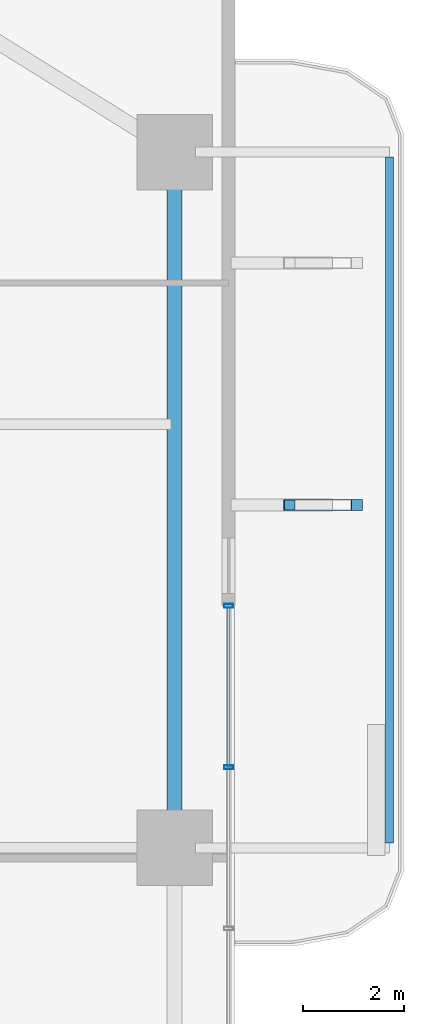
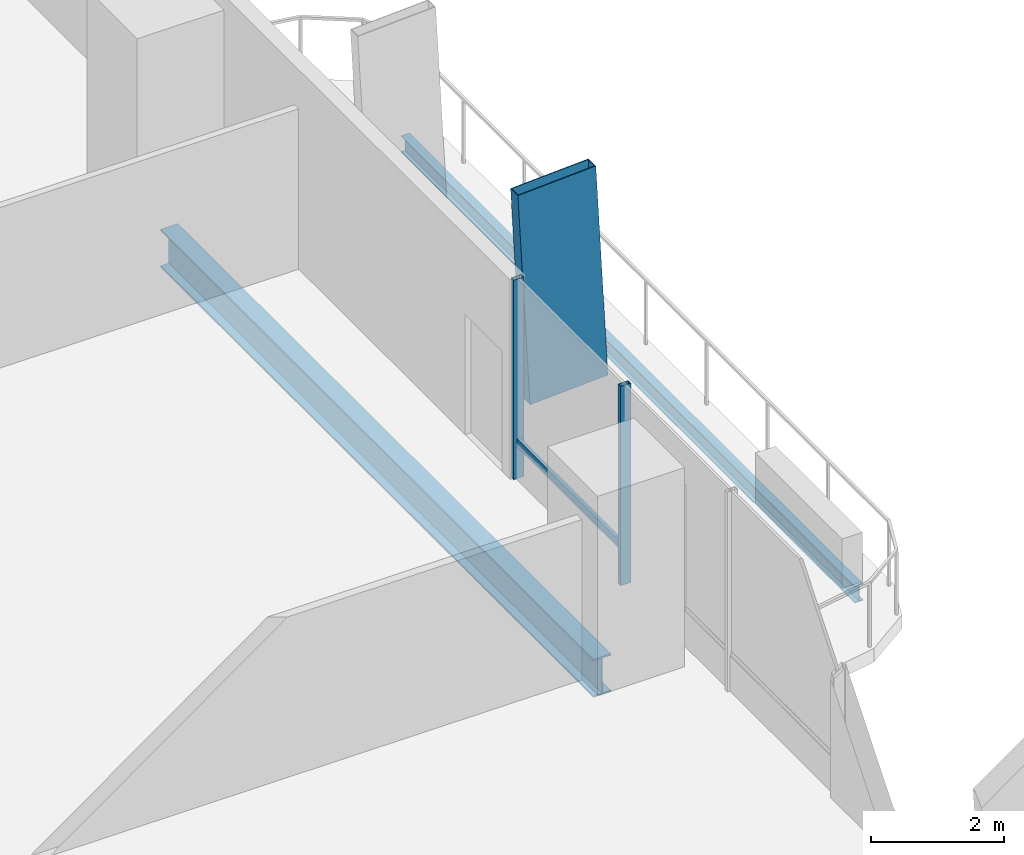
# One storey, part 13 of 24: 4 members, 2 beams, 1 element without a shape of its own.
"""IFC4 building model written with IfcOpenShell, lengths in metres."""

from ifc_helpers import new_model, si_unit, direction, frame, origin, origin_2d, place, context, subcontext, project, spatial, hollow_rectangle, i_section, extrude, material, layer, layer_set, material_profile, profile_set, type_object, element, aggregate, save


model = new_model("IFC4")

# Units and contexts
model_context = context("Model", 3, precision=1e-05, world=origin(), true_north=direction((0.0, 1.0)))
body_context = subcontext(model_context, "Body", "Model", "MODEL_VIEW")
ifc_project = project(units=[si_unit("LENGTHUNIT", "METRE"), si_unit("AREAUNIT", "SQUARE_METRE"), si_unit("VOLUMEUNIT", "CUBIC_METRE"), si_unit("PLANEANGLEUNIT", "RADIAN"), si_unit("MASSUNIT", "GRAM", prefix="KILO")], contexts=[model_context])

# Site, building, storey
site_placement = place(None, origin())
site = spatial("IfcSite", under=ifc_project, at=site_placement, CompositionType="ELEMENT")
building_placement = place(site_placement, origin())
building = spatial("IfcBuilding", under=site, at=building_placement, Name="Belovzor Exchange Tower", CompositionType="ELEMENT")
storey_placement = place(building_placement, frame((0.0, 0.0, 61.199951171875)))
storey = spatial("IfcBuildingStorey", under=building, at=storey_placement, Name="L14", CompositionType="ELEMENT", Elevation=61.199951171875)

# Member
ifc_material_1 = material(Name="Extruded Architectural Terracotta on Steel S355 Carrier", Category="masonry")
ifc_material_profile_1 = material_profile(ifc_material_1, hollow_rectangle(XDim=0.219970703125, YDim=1.35009765625, WallThickness=0.013916015625, at=origin_2d()))
ifc_profile_set_1 = profile_set([ifc_material_profile_1], Name="Extruded Architectural Terracotta on Steel S355 Carrier")
member_type_1 = type_object("IfcMemberType", Name="Base Arc Sweeping Terracotta Pylon Fin 1450", PredefinedType="USERDEFINED", material=ifc_profile_set_1)
member_1_placement = place(storey_placement, frame((58.549072265625, 35.60009765625, -0.25), z_axis=(-0.053756276307, 0.0, 0.998554086045), x_axis=(0.0, -1.0, 0.0)))
element("IfcMember", 1, at=member_1_placement, inside=storey, type_object=member_type_1, Name="FIN-TC145 Terracotta Facade Fin L14 E3", ObjectType="FIN", PredefinedType="USERDEFINED", context=body_context, shape_type="SweptSolid", body=[
    extrude(hollow_rectangle(XDim=0.219970703125, YDim=1.35009765625, WallThickness=0.013916015625, at=origin_2d()), origin(), (0.0, 0.0, 1.0), 3.90576171875),
])

# Beam
ifc_material_2 = material(Name="Steel S355", Category="steel")
ifc_material_profile_2 = material_profile(ifc_material_2, i_section(OverallWidth=0.14990234375, OverallDepth=0.300048828125, WebThickness=0.007080078125, FlangeThickness=0.0107421875, at=origin_2d()))
ifc_profile_set_2 = profile_set([ifc_material_profile_2], Name="Steel S355")
beam_type_1 = type_object("IfcBeamType", Name="Planted Balcony Fascia Edge Beam IPE 300", PredefinedType="BEAM", material=ifc_profile_set_2)
beam_1_placement = place(storey_placement, frame((59.762939453125, 28.89990234375, -0.39990234375), z_axis=(0.0, 1.0, 0.0), x_axis=(-1.0, 0.0, 0.0)))
element("IfcBeam", 2, at=beam_1_placement, inside=storey, type_object=beam_type_1, Name="BC-300 Planted Balcony Fascia Edge Beam IPE 300", PredefinedType="BEAM", context=body_context, shape_type="SweptSolid", body=[
    extrude(i_section(OverallWidth=0.14990234375, OverallDepth=0.300048828125, WebThickness=0.007080078125, FlangeThickness=0.0107421875, at=origin_2d()), origin(), (0.0, 0.0, 1.0), 13.60009765625),
])

# Curtain wall, members
ifc_material_3 = material(Name="Anodised Aluminium Framing", Category="aluminium")
ifc_layer = layer(ifc_material_3, 0.179931640625)
ifc_layer_set = layer_set([ifc_layer], Name="Anodised Aluminium Framing")
curtain_wall_type = type_object("IfcCurtainWallType", Name="Recessed Loggia Low-Iron Triple-Glazed Curtain Wall", PredefinedType="NOTDEFINED", material=ifc_layer_set)
curtain_wall_placement = place(storey_placement, origin())
curtain_wall = element("IfcCurtainWall", 3, at=curtain_wall_placement, inside=storey, type_object=curtain_wall_type, Name="CW3 Recessed Loggia Low-Iron Triple-Glazed Curtain Wall L14", PredefinedType="NOTDEFINED")
ifc_material_4 = material(Name="Steel S355", Category="steel")
ifc_material_profile_3 = material_profile(ifc_material_4, hollow_rectangle(XDim=0.074951171875, YDim=0.179931640625, WallThickness=0.0048828125, at=origin_2d()))
ifc_profile_set_3 = profile_set([ifc_material_profile_3], Name="Steel S355")
member_type_2 = type_object("IfcMemberType", Name="Thermally Broken Curtain Wall Mullion 180x75", PredefinedType="MULLION", material=ifc_profile_set_3)
member_2_placement = place(storey_placement, frame((56.570068359375, 33.60009765625, 0.0), z_axis=(0.0, 0.0, 1.0), x_axis=(0.0, -1.0, 0.0)))
member_2 = element("IfcMember", 4, at=member_2_placement, type_object=member_type_2, Name="CW-M180 Curtain Wall Mullion 1", PredefinedType="MULLION", context=body_context, shape_type="SweptSolid", body=[
    extrude(hollow_rectangle(XDim=0.074951171875, YDim=0.179931640625, WallThickness=0.0048828125, at=origin_2d()), origin(), (0.0, 0.0, 1.0), 3.650146484375),
])
member_3_placement = place(storey_placement, frame((56.570068359375, 30.39990234375, 0.0), z_axis=(0.0, 0.0, 1.0), x_axis=(0.0, -1.0, 0.0)))
member_3 = element("IfcMember", 5, at=member_3_placement, type_object=member_type_2, Name="CW-M180 Curtain Wall Mullion 2", PredefinedType="MULLION", context=body_context, shape_type="SweptSolid", body=[
    extrude(hollow_rectangle(XDim=0.074951171875, YDim=0.179931640625, WallThickness=0.0048828125, at=origin_2d()), origin(), (0.0, 0.0, 1.0), 3.650146484375),
])
ifc_material_5 = material(Name="Steel S355", Category="steel")
ifc_material_profile_4 = material_profile(ifc_material_5, hollow_rectangle(XDim=0.06005859375, YDim=0.14990234375, WallThickness=0.00390625, at=origin_2d()))
ifc_profile_set_4 = profile_set([ifc_material_profile_4], Name="Steel S355")
member_type_3 = type_object("IfcMemberType", Name="Thermally Broken Curtain Wall Transom 150x60", PredefinedType="USERDEFINED", material=ifc_profile_set_4)
member_4_placement = place(storey_placement, frame((56.570068359375, 33.592041015625, 0.650146484375), z_axis=(0.0, -1.0, 0.0), x_axis=(1.0, 0.0, 0.0)))
member_4 = element("IfcMember", 6, at=member_4_placement, type_object=member_type_3, Name="CW-T150 Curtain Wall Transom 1", ObjectType="TRANSOM", PredefinedType="USERDEFINED", context=body_context, shape_type="SweptSolid", body=[
    extrude(hollow_rectangle(XDim=0.06005859375, YDim=0.14990234375, WallThickness=0.00390625, at=origin_2d()), origin(), (0.0, 0.0, 1.0), 3.18408203125),
])
aggregate(curtain_wall, [member_2, member_3, member_4])

# Beam
ifc_material_6 = material(Name="Steel S355", Category="steel")
ifc_material_profile_5 = material_profile(ifc_material_6, i_section(OverallWidth=0.300048828125, OverallDepth=0.699951171875, WebThickness=0.01708984375, FlangeThickness=0.031982421875, at=origin_2d()))
ifc_profile_set_5 = profile_set([ifc_material_profile_5], Name="Steel S355")
beam_type_2 = type_object("IfcBeamType", Name="Zone 1 Primary Perimeter Girder HEB 700", PredefinedType="BEAM", material=ifc_profile_set_5)
beam_2_placement = place(storey_placement, frame((55.5, 29.212890625, -0.599853515625), z_axis=(0.0, 1.0, 0.0), x_axis=(-1.0, 0.0, 0.0)))
element("IfcBeam", 7, at=beam_2_placement, inside=storey, type_object=beam_type_2, Name="FG-Z1 Zone 1 Primary Perimeter Girder HEB 700", PredefinedType="BEAM", context=body_context, shape_type="SweptSolid", body=[
    extrude(i_section(OverallWidth=0.300048828125, OverallDepth=0.699951171875, WebThickness=0.01708984375, FlangeThickness=0.031982421875, at=origin_2d()), origin(), (0.0, 0.0, 1.0), 12.97509765625),
])

save(model, "model.ifc")
